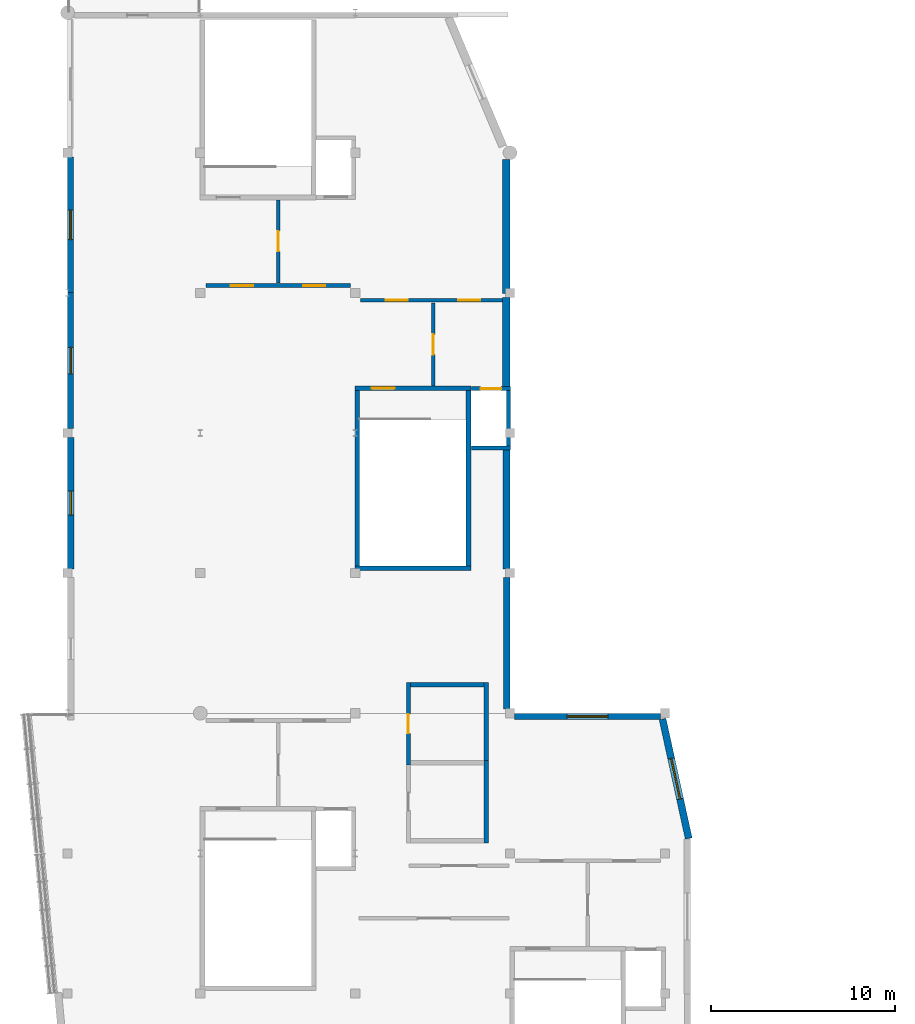
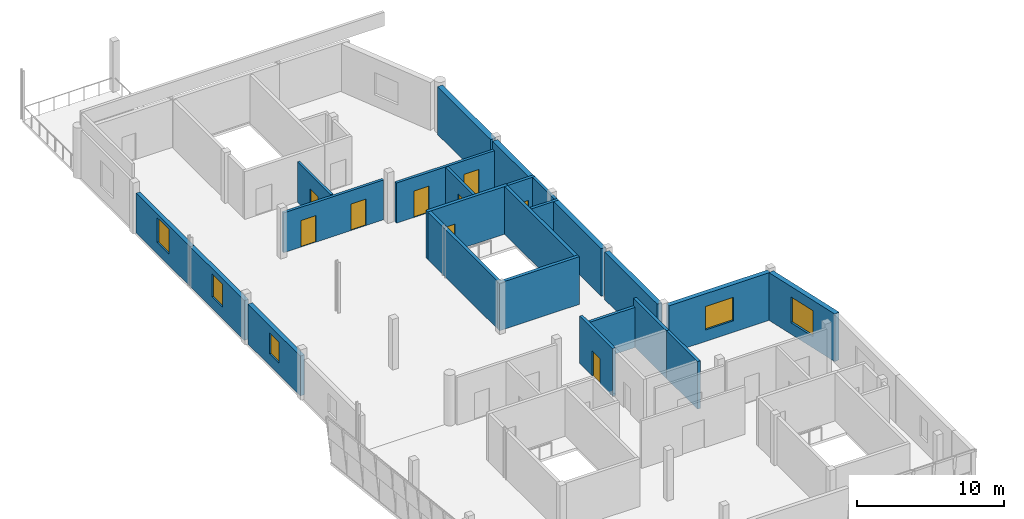
# One storey, part 12 of 17: 24 walls, 9 doors, 5 windows, 14 openings.
"""IFC4 building model written with IfcOpenShell, lengths in metres."""

from ifc_helpers import new_model, si_unit, direction, frame, frame_2d, origin, place, context, subcontext, project, spatial, rectangle, extrude, material, layer, layer_set, type_object, element, fill, save


model = new_model("IFC4")

# Units and contexts
model_context = context("Model", 3, precision=1e-05, world=origin(), true_north=direction((0.0, 1.0)))
body_context = subcontext(model_context, "Body", "Model", "MODEL_VIEW")
ifc_project = project(units=[si_unit("LENGTHUNIT", "METRE"), si_unit("AREAUNIT", "SQUARE_METRE"), si_unit("VOLUMEUNIT", "CUBIC_METRE"), si_unit("PLANEANGLEUNIT", "RADIAN"), si_unit("MASSUNIT", "GRAM", prefix="KILO")], contexts=[model_context])

# Site, building, storey
site_placement = place(None, origin())
site = spatial("IfcSite", under=ifc_project, at=site_placement, CompositionType="ELEMENT")
building_placement = place(site_placement, origin())
building = spatial("IfcBuilding", under=site, at=building_placement, Name="Xicomal Pleat Aquarium", CompositionType="ELEMENT")
storey_placement = place(building_placement, frame((0.0, 0.0, 19.800048828125)))
storey = spatial("IfcBuildingStorey", under=building, at=storey_placement, Name="L05", CompositionType="ELEMENT", Elevation=19.800048828125)

# Wall
ifc_material_1 = material(Name="Concrete C40/50", Category="concrete")
ifc_layer_1 = layer(ifc_material_1, 0.219970703125)
ifc_layer_set_1 = layer_set([ifc_layer_1], Name="Concrete C40/50")
wall_type_1 = type_object("IfcWallType", Name="WAL-COR-220", PredefinedType="SHEAR", material=ifc_layer_set_1)
wall_1_placement = place(storey_placement, frame((24.89990234375, 52.389892578125, 0.0), z_axis=(0.0, 0.0, 1.0), x_axis=(1.0, 0.0, 0.0)))
element("IfcWall", 1, at=wall_1_placement, inside=storey, type_object=wall_type_1, Name="L05 LF-04 lift shaft wall CW-L05-C4-LS", PredefinedType="SHEAR", context=body_context, shape_type="SweptSolid", body=[
    extrude(rectangle(XDim=2.1201171875, YDim=0.219970703125, at=frame_2d((1.06005859375, 0.0))), origin(), (0.0, 0.0, 1.0), 3.9599609375),
])

# Wall, opening, door
wall_2_placement = place(storey_placement, frame((24.89990234375, 55.610107421875, 0.0), z_axis=(0.0, 0.0, 1.0), x_axis=(1.0, 0.0, 0.0)))
wall_2 = element("IfcWall", 2, at=wall_2_placement, inside=storey, type_object=wall_type_1, Name="L05 LF-04 lift shaft wall CW-L05-C4-LN", PredefinedType="SHEAR", context=body_context, shape_type="SweptSolid", body=[
    extrude(rectangle(XDim=2.1201171875, YDim=0.219970703125, at=frame_2d((1.06005859375, 0.0))), origin(), (0.0, 0.0, 1.0), 3.9599609375),
])
opening_1_placement = place(wall_2_placement, frame((0.510009765625, 0.0, 0.0)))
opening_1 = element("IfcOpeningElement", 3, at=opening_1_placement, cuts=wall_2, Name="Opening LD-04-L05", PredefinedType="OPENING", context=body_context, shape_type="SweptSolid", body=[
    extrude(rectangle(XDim=1.10009765625, YDim=2.14990234375, at=frame_2d((0.550048828125, 1.074951171875))), frame((0.0, 0.119873046875, 0.0), z_axis=(0.0, -1.0, 0.0), x_axis=(1.0, 0.0, 0.0)), (0.0, 0.0, 1.0), 0.239990234375),
])
ifc_material_2 = material(Name="Brushed stainless steel 304", Category="steel")
door_type_1 = type_object("IfcDoorType", Name="DOR-LD-1100x2150", OperationType="DOUBLE_DOOR_SLIDING", PredefinedType="DOOR", material=ifc_material_2)
door_1_placement = place(opening_1_placement, origin())
door_1 = element("IfcDoor", 4, at=door_1_placement, inside=storey, type_object=door_type_1, Name="L05 LF-04 sliding lift landing door", OperationType="DOUBLE_DOOR_SLIDING", OverallHeight=2.14990234375, OverallWidth=1.10009765625, PredefinedType="DOOR", context=body_context, shape_type="SweptSolid", body=[
    extrude(rectangle(XDim=1.10009765625, YDim=2.14990234375, at=frame_2d((0.550048828125, 1.074951171875))), frame((0.0, 0.02490234375, 0.0), z_axis=(0.0, -1.0, 0.0), x_axis=(1.0, 0.0, 0.0)), (0.0, 0.0, 1.0), 0.050048828125),
])
fill(opening_1, door_1)

# Walls
wall_3_placement = place(storey_placement, frame((26.909912109375, 52.5, 0.0), z_axis=(0.0, 0.0, 1.0), x_axis=(0.0, 1.0, 0.0)))
element("IfcWall", 5, at=wall_3_placement, inside=storey, type_object=wall_type_1, Name="L05 LF-04 lift shaft wall CW-L05-C4-LE", PredefinedType="SHEAR", context=body_context, shape_type="SweptSolid", body=[
    extrude(rectangle(XDim=3.0, YDim=0.219970703125, at=frame_2d((1.5, 0.0))), origin(), (0.0, 0.0, 1.0), 3.9599609375),
])
ifc_material_3 = material(Name="Concrete C40/50", Category="concrete")
ifc_layer_2 = layer(ifc_material_3, 0.25)
ifc_layer_set_2 = layer_set([ifc_layer_2], Name="Concrete C40/50")
wall_type_2 = type_object("IfcWallType", Name="WAL-COR-250", PredefinedType="SHEAR", material=ifc_layer_set_2)
wall_4_placement = place(storey_placement, frame((18.590087890625, 45.875, 0.0), z_axis=(0.0, 0.0, 1.0), x_axis=(1.0, 0.0, 0.0)))
element("IfcWall", 6, at=wall_4_placement, inside=storey, type_object=wall_type_2, Name="L05 CORE-4 stair shear wall CW-L05-C4-SS", PredefinedType="SHEAR", context=body_context, shape_type="SweptSolid", body=[
    extrude(rectangle(XDim=6.280029296875, YDim=0.25, at=frame_2d((3.14013671875, 0.0))), origin(), (0.0, 0.0, 1.0), 3.9599609375),
])

# Wall, opening, door
wall_5_placement = place(storey_placement, frame((18.590087890625, 55.625, 0.0), z_axis=(0.0, 0.0, 1.0), x_axis=(1.0, 0.0, 0.0)))
wall_5 = element("IfcWall", 7, at=wall_5_placement, inside=storey, type_object=wall_type_2, Name="L05 CORE-4 stair shear wall CW-L05-C4-SN", PredefinedType="SHEAR", context=body_context, shape_type="SweptSolid", body=[
    extrude(rectangle(XDim=6.280029296875, YDim=0.25, at=frame_2d((3.14013671875, 0.0))), origin(), (0.0, 0.0, 1.0), 3.9599609375),
])
opening_2_placement = place(wall_5_placement, frame((0.89990234375, 0.0, 0.0)))
opening_2 = element("IfcOpeningElement", 8, at=opening_2_placement, cuts=wall_5, Name="Opening SD-04-L05", PredefinedType="OPENING", context=body_context, shape_type="SweptSolid", body=[
    extrude(rectangle(XDim=1.25, YDim=2.199951171875, at=frame_2d((0.625, 1.10009765625))), frame((0.0, 0.135009765625, 0.0), z_axis=(0.0, -1.0, 0.0), x_axis=(1.0, 0.0, 0.0)), (0.0, 0.0, 1.0), 0.27001953125),
])
ifc_material_4 = material(Name="Powder-coated steel fire door", Category="steel")
door_type_2 = type_object("IfcDoorType", Name="DOR-ST-1250x2200", OperationType="NOTDEFINED", PredefinedType="DOOR", material=ifc_material_4)
door_2_placement = place(opening_2_placement, origin())
door_2 = element("IfcDoor", 9, at=door_2_placement, inside=storey, type_object=door_type_2, Name="L05 ST-04 protected stair door", OperationType="SINGLE_SWING_LEFT", OverallHeight=2.199951171875, OverallWidth=1.25, PredefinedType="DOOR", context=body_context, shape_type="SweptSolid", body=[
    extrude(rectangle(XDim=1.25, YDim=2.199951171875, at=frame_2d((0.625, 1.10009765625))), frame((0.0, 0.02490234375, 0.0), z_axis=(0.0, -1.0, 0.0), x_axis=(1.0, 0.0, 0.0)), (0.0, 0.0, 1.0), 0.050048828125),
])
fill(opening_2, door_2)

# Walls
for number, where, z_axis, x_axis, name in (
    (10, (18.715087890625, 46.0, 0.0), (0.0, 0.0, 1.0), (0.0, 1.0, 0.0), "L05 CORE-4 stair shear wall CW-L05-C4-SW"),
    (11, (24.7451171875, 46.0, 0.0), (0.0, 0.0, 1.0), (0.0, 1.0, 0.0), "L05 CORE-4 stair shear wall CW-L05-C4-SE"),
):
    element("IfcWall", number, at=place(storey_placement, frame(where, z_axis=z_axis, x_axis=x_axis)), inside=storey, type_object=wall_type_2, Name=name, PredefinedType="SHEAR", context=body_context, shape_type="SweptSolid", body=[
        extrude(rectangle(XDim=9.5, YDim=0.25, at=frame_2d((4.75, 0.0))), origin(), (0.0, 0.0, 1.0), 3.9599609375),
    ])

# Wall, opening, window
ifc_material_5 = material(Name="Volcanic basalt recinto masonry and concrete C40/50", Category="masonry")
ifc_layer_3 = layer(ifc_material_5, 0.35009765625)
ifc_layer_set_3 = layer_set([ifc_layer_3], Name="Volcanic basalt recinto masonry and concrete C40/50")
wall_type_3 = type_object("IfcWallType", Name="WAL-EXT-BAS-350", PredefinedType="SOLIDWALL", material=ifc_layer_set_3)
wall_6_placement = place(storey_placement, frame((27.235107421875, 37.824951171875, 0.0), z_axis=(0.0, 0.0, 1.0), x_axis=(1.0, 0.0, 0.0)))
wall_6 = element("IfcWall", 12, at=wall_6_placement, inside=storey, type_object=wall_type_3, Name="L05 exterior basalt-precast wall EW-L05-039", PredefinedType="SOLIDWALL", context=body_context, shape_type="SweptSolid", body=[
    extrude(rectangle(XDim=7.929931640625, YDim=0.35009765625, at=frame_2d((3.96484375, 0.0))), origin(), (0.0, 0.0, 1.0), 3.9599609375),
])
opening_3_placement = place(wall_6_placement, frame((2.864990234375, 0.0, 0.949951171875)))
opening_3 = element("IfcOpeningElement", 13, at=opening_3_placement, cuts=wall_6, Name="Opening WN-21", PredefinedType="OPENING", context=body_context, shape_type="SweptSolid", body=[
    extrude(rectangle(XDim=2.199951171875, YDim=1.949951171875, at=frame_2d((1.10009765625, 0.97509765625))), frame((0.0, 0.18505859375, 0.0), z_axis=(0.0, -1.0, 0.0), x_axis=(1.0, 0.0, 0.0)), (0.0, 0.0, 1.0), 0.3701171875),
])
ifc_material_6 = material(Name="Insulated low-E laminated glass", Category="glass")
window_type_1 = type_object("IfcWindowType", Name="WIN-EXT-2200x1950", PartitioningType="DOUBLE_PANEL_VERTICAL", PredefinedType="WINDOW", material=ifc_material_6)
window_1_placement = place(opening_3_placement, origin())
window_1 = element("IfcWindow", 14, at=window_1_placement, inside=storey, type_object=window_type_1, Name="L05 thermally broken low-E window 93", OverallHeight=1.949951171875, OverallWidth=2.199951171875, PartitioningType="SINGLE_PANEL", PredefinedType="WINDOW", context=body_context, shape_type="SweptSolid", body=[
    extrude(rectangle(XDim=2.199951171875, YDim=1.949951171875, at=frame_2d((1.10009765625, 0.97509765625))), frame((0.0, 0.030029296875, 0.0), z_axis=(0.0, -1.0, 0.0), x_axis=(1.0, 0.0, 0.0)), (0.0, 0.0, 1.0), 0.06005859375),
])
fill(opening_3, window_1)

# Wall
ifc_material_7 = material(Name="Volcanic basalt recinto masonry and concrete C40/50", Category="masonry")
ifc_layer_4 = layer(ifc_material_7, 0.364990234375)
ifc_layer_set_4 = layer_set([ifc_layer_4], Name="Volcanic basalt recinto masonry and concrete C40/50")
wall_type_4 = type_object("IfcWallType", Name="WAL-EXT-BAS-365", PredefinedType="SOLIDWALL", material=ifc_layer_set_4)
wall_7_placement = place(storey_placement, frame((26.81689453125, 45.364990234375, 0.0), z_axis=(0.0, 0.0, 1.0), x_axis=(0.0, -1.0, 0.0)))
element("IfcWall", 15, at=wall_7_placement, inside=storey, type_object=wall_type_4, Name="L05 exterior basalt-precast wall EW-L05-038", PredefinedType="SOLIDWALL", context=body_context, shape_type="SweptSolid", body=[
    extrude(rectangle(XDim=7.1298828125, YDim=0.364990234375, at=frame_2d((3.56494140625, 0.0))), origin(), (0.0, 0.0, 1.0), 3.9599609375),
])

# Wall, opening, window
ifc_material_8 = material(Name="Volcanic basalt recinto masonry and concrete C40/50", Category="masonry")
ifc_layer_5 = layer(ifc_material_8, 0.3798828125)
ifc_layer_set_5 = layer_set([ifc_layer_5], Name="Volcanic basalt recinto masonry and concrete C40/50")
wall_type_5 = type_object("IfcWallType", Name="WAL-EXT-BAS-380", PredefinedType="SOLIDWALL", material=ifc_layer_set_5)
wall_8_placement = place(storey_placement, frame((35.27490234375, 37.68310546875, 0.0), z_axis=(0.0, 0.0, 1.0), x_axis=(0.213637559437, -0.976912991621, 0.0)))
wall_8 = element("IfcWall", 16, at=wall_8_placement, inside=storey, type_object=wall_type_5, Name="L05 exterior basalt-precast wall EW-L05-011", PredefinedType="SOLIDWALL", context=body_context, shape_type="SweptSolid", body=[
    extrude(rectangle(XDim=6.628173828125, YDim=0.3798828125, at=frame_2d((3.31396484375, 0.0))), origin(), (0.0, 0.0, 1.0), 3.9599609375),
])
opening_4_placement = place(wall_8_placement, frame((2.18896484375, 0.0, 0.949951171875)))
opening_4 = element("IfcOpeningElement", 17, at=opening_4_placement, cuts=wall_8, Name="Opening WN-12", PredefinedType="OPENING", context=body_context, shape_type="SweptSolid", body=[
    extrude(rectangle(XDim=2.25, YDim=2.14990234375, at=frame_2d((1.125, 1.074951171875))), frame((0.0, 0.199951171875, 0.0), z_axis=(0.0, -1.0, 0.0), x_axis=(1.0, 0.0, 0.0)), (0.0, 0.0, 1.0), 0.39990234375),
])
ifc_material_9 = material(Name="Insulated low-E laminated glass", Category="glass")
window_type_2 = type_object("IfcWindowType", Name="WIN-EXT-2250x2150", PartitioningType="DOUBLE_PANEL_VERTICAL", PredefinedType="WINDOW", material=ifc_material_9)
window_2_placement = place(opening_4_placement, origin())
window_2 = element("IfcWindow", 18, at=window_2_placement, inside=storey, type_object=window_type_2, Name="L05 thermally broken low-E window 84", OverallHeight=2.14990234375, OverallWidth=2.25, PartitioningType="SINGLE_PANEL", PredefinedType="WINDOW", context=body_context, shape_type="SweptSolid", body=[
    extrude(rectangle(XDim=2.25, YDim=2.14990234375, at=frame_2d((1.125, 1.074951171875))), frame((0.0, 0.030029296875, 0.0), z_axis=(0.0, -1.0, 0.0), x_axis=(1.0, 0.0, 0.0)), (0.0, 0.0, 1.0), 0.06005859375),
])
fill(opening_4, window_2)

# Walls
wall_9_placement = place(storey_placement, frame((26.81005859375, 52.320068359375, 0.0), z_axis=(0.0, 0.0, 1.0), x_axis=(0.0, -1.0, 0.0)))
element("IfcWall", 19, at=wall_9_placement, inside=storey, type_object=wall_type_5, Name="L05 exterior basalt-precast wall EW-L05-037", PredefinedType="SOLIDWALL", context=body_context, shape_type="SweptSolid", body=[
    extrude(rectangle(XDim=6.485107421875, YDim=0.3798828125, at=frame_2d((3.24267578125, 0.0))), origin(), (0.0, 0.0, 1.0), 3.9599609375),
])
ifc_material_10 = material(Name="Volcanic basalt recinto masonry and concrete C40/50", Category="masonry")
ifc_layer_6 = layer(ifc_material_10, 0.39990234375)
ifc_layer_set_6 = layer_set([ifc_layer_6], Name="Volcanic basalt recinto masonry and concrete C40/50")
wall_type_6 = type_object("IfcWallType", Name="WAL-EXT-BAS-400", PredefinedType="SOLIDWALL", material=ifc_layer_set_6)
wall_10_placement = place(storey_placement, frame((26.800048828125, 60.56494140625, 0.0), z_axis=(0.0, 0.0, 1.0), x_axis=(0.0, -1.0, 0.0)))
element("IfcWall", 20, at=wall_10_placement, inside=storey, type_object=wall_type_6, Name="L05 exterior basalt-precast wall EW-L05-036", PredefinedType="SOLIDWALL", context=body_context, shape_type="SweptSolid", body=[
    extrude(rectangle(XDim=4.885009765625, YDim=0.39990234375, at=frame_2d((2.4423828125, 0.0))), origin(), (0.0, 0.0, 1.0), 3.9599609375),
])
ifc_material_11 = material(Name="Volcanic basalt recinto masonry and concrete C40/50", Category="masonry")
ifc_layer_7 = layer(ifc_material_11, 0.419921875)
ifc_layer_set_7 = layer_set([ifc_layer_7], Name="Volcanic basalt recinto masonry and concrete C40/50")
wall_type_7 = type_object("IfcWallType", Name="WAL-EXT-BAS-420", PredefinedType="SOLIDWALL", material=ifc_layer_set_7)
wall_11_placement = place(storey_placement, frame((26.7900390625, 68.0400390625, 0.0), z_axis=(0.0, 0.0, 1.0), x_axis=(0.0, -1.0, 0.0)))
element("IfcWall", 21, at=wall_11_placement, inside=storey, type_object=wall_type_7, Name="L05 exterior basalt-precast wall EW-L05-035", PredefinedType="SOLIDWALL", context=body_context, shape_type="SweptSolid", body=[
    extrude(rectangle(XDim=7.260009765625, YDim=0.419921875, at=frame_2d((3.6298828125, 0.0))), origin(), (0.0, 0.0, 1.0), 3.9599609375),
])

# Wall, opening, window
ifc_material_12 = material(Name="Precast concrete C40/50", Category="concrete")
ifc_layer_8 = layer(ifc_material_12, 0.31201171875)
ifc_layer_set_8 = layer_set([ifc_layer_8], Name="Precast concrete C40/50")
wall_type_8 = type_object("IfcWallType", Name="WAL-EXT-PRC-312", PredefinedType="SOLIDWALL", material=ifc_layer_set_8)
wall_12_placement = place(storey_placement, frame((3.156005859375, 60.820068359375, 0.0), z_axis=(0.0, 0.0, 1.0), x_axis=(0.0, 1.0, 0.0)))
wall_12 = element("IfcWall", 22, at=wall_12_placement, inside=storey, type_object=wall_type_8, Name="L05 exterior basalt-precast wall EW-L05-029", PredefinedType="SOLIDWALL", context=body_context, shape_type="SweptSolid", body=[
    extrude(rectangle(XDim=7.344970703125, YDim=0.31201171875, at=frame_2d((3.67236328125, 0.0))), origin(), (0.0, 0.0, 1.0), 3.304931640625),
])
opening_5_placement = place(wall_12_placement, frame((2.873046875, 0.0, 0.949951171875)))
opening_5 = element("IfcOpeningElement", 23, at=opening_5_placement, cuts=wall_12, Name="Opening WN-18", PredefinedType="OPENING", context=body_context, shape_type="SweptSolid", body=[
    extrude(rectangle(XDim=1.60009765625, YDim=2.050048828125, at=frame_2d((0.800048828125, 1.02490234375))), frame((0.0, 0.166015625, 0.0), z_axis=(0.0, -1.0, 0.0), x_axis=(1.0, 0.0, 0.0)), (0.0, 0.0, 1.0), 0.33203125),
])
ifc_material_13 = material(Name="Insulated low-E laminated glass", Category="glass")
window_type_3 = type_object("IfcWindowType", Name="WIN-EXT-1600x2050", PartitioningType="SINGLE_PANEL", PredefinedType="WINDOW", material=ifc_material_13)
window_3_placement = place(opening_5_placement, origin())
window_3 = element("IfcWindow", 24, at=window_3_placement, inside=storey, type_object=window_type_3, Name="L05 thermally broken low-E window 90", OverallHeight=2.050048828125, OverallWidth=1.60009765625, PartitioningType="SINGLE_PANEL", PredefinedType="WINDOW", context=body_context, shape_type="SweptSolid", body=[
    extrude(rectangle(XDim=1.60009765625, YDim=2.050048828125, at=frame_2d((0.800048828125, 1.02490234375))), frame((0.0, 0.030029296875, 0.0), z_axis=(0.0, -1.0, 0.0), x_axis=(1.0, 0.0, 0.0)), (0.0, 0.0, 1.0), 0.06005859375),
])
fill(opening_5, window_3)

ifc_material_14 = material(Name="Precast concrete C40/50", Category="concrete")
ifc_layer_9 = layer(ifc_material_14, 0.324951171875)
ifc_layer_set_9 = layer_set([ifc_layer_9], Name="Precast concrete C40/50")
wall_type_9 = type_object("IfcWallType", Name="WAL-EXT-PRC-325", PredefinedType="SOLIDWALL", material=ifc_layer_set_9)
wall_13_placement = place(storey_placement, frame((3.1630859375, 53.43505859375, 0.0), z_axis=(0.0, 0.0, 1.0), x_axis=(0.0, 1.0, 0.0)))
wall_13 = element("IfcWall", 25, at=wall_13_placement, inside=storey, type_object=wall_type_9, Name="L05 exterior basalt-precast wall EW-L05-028", PredefinedType="SOLIDWALL", context=body_context, shape_type="SweptSolid", body=[
    extrude(rectangle(XDim=7.385009765625, YDim=0.324951171875, at=frame_2d((3.6923828125, 0.0))), origin(), (0.0, 0.0, 1.0), 3.304931640625),
])
opening_6_placement = place(wall_13_placement, frame((2.967041015625, 0.0, 0.949951171875)))
opening_6 = element("IfcOpeningElement", 26, at=opening_6_placement, cuts=wall_13, Name="Opening WN-17", PredefinedType="OPENING", context=body_context, shape_type="SweptSolid", body=[
    extrude(rectangle(XDim=1.449951171875, YDim=1.89990234375, at=frame_2d((0.72509765625, 0.949951171875))), frame((0.0, 0.17236328125, 0.0), z_axis=(0.0, -1.0, 0.0), x_axis=(1.0, 0.0, 0.0)), (0.0, 0.0, 1.0), 0.344970703125),
])
ifc_material_15 = material(Name="Insulated low-E laminated glass", Category="glass")
window_type_4 = type_object("IfcWindowType", Name="WIN-EXT-1450x1900", PartitioningType="SINGLE_PANEL", PredefinedType="WINDOW", material=ifc_material_15)
window_4_placement = place(opening_6_placement, origin())
window_4 = element("IfcWindow", 27, at=window_4_placement, inside=storey, type_object=window_type_4, Name="L05 thermally broken low-E window 89", OverallHeight=1.89990234375, OverallWidth=1.449951171875, PartitioningType="SINGLE_PANEL", PredefinedType="WINDOW", context=body_context, shape_type="SweptSolid", body=[
    extrude(rectangle(XDim=1.449951171875, YDim=1.89990234375, at=frame_2d((0.72509765625, 0.949951171875))), frame((0.0, 0.030029296875, 0.0), z_axis=(0.0, -1.0, 0.0), x_axis=(1.0, 0.0, 0.0)), (0.0, 0.0, 1.0), 0.06005859375),
])
fill(opening_6, window_4)

ifc_material_16 = material(Name="Precast concrete C40/50", Category="concrete")
ifc_layer_10 = layer(ifc_material_16, 0.340087890625)
ifc_layer_set_10 = layer_set([ifc_layer_10], Name="Precast concrete C40/50")
wall_type_10 = type_object("IfcWallType", Name="WAL-EXT-PRC-340", PredefinedType="SOLIDWALL", material=ifc_layer_set_10)
wall_14_placement = place(storey_placement, frame((3.169921875, 45.8349609375, 0.0), z_axis=(0.0, 0.0, 1.0), x_axis=(0.0, 1.0, 0.0)))
wall_14 = element("IfcWall", 28, at=wall_14_placement, inside=storey, type_object=wall_type_10, Name="L05 exterior basalt-precast wall EW-L05-027", PredefinedType="SOLIDWALL", context=body_context, shape_type="SweptSolid", body=[
    extrude(rectangle(XDim=7.130126953125, YDim=0.340087890625, at=frame_2d((3.56494140625, 0.0))), origin(), (0.0, 0.0, 1.0), 3.304931640625),
])
opening_7_placement = place(wall_14_placement, frame((2.9150390625, 0.0, 0.949951171875)))
opening_7 = element("IfcOpeningElement", 29, at=opening_7_placement, cuts=wall_14, Name="Opening WN-16", PredefinedType="OPENING", context=body_context, shape_type="SweptSolid", body=[
    extrude(rectangle(XDim=1.300048828125, YDim=1.75, at=frame_2d((0.64990234375, 0.875))), frame((0.0, 0.179931640625, 0.0), z_axis=(0.0, -1.0, 0.0), x_axis=(1.0, 0.0, 0.0)), (0.0, 0.0, 1.0), 0.360107421875),
])
ifc_material_17 = material(Name="Insulated low-E laminated glass", Category="glass")
window_type_5 = type_object("IfcWindowType", Name="WIN-EXT-1300x1750", PartitioningType="SINGLE_PANEL", PredefinedType="WINDOW", material=ifc_material_17)
window_5_placement = place(opening_7_placement, origin())
window_5 = element("IfcWindow", 30, at=window_5_placement, inside=storey, type_object=window_type_5, Name="L05 thermally broken low-E window 88", OverallHeight=1.75, OverallWidth=1.300048828125, PartitioningType="SINGLE_PANEL", PredefinedType="WINDOW", context=body_context, shape_type="SweptSolid", body=[
    extrude(rectangle(XDim=1.300048828125, YDim=1.75, at=frame_2d((0.64990234375, 0.875))), frame((0.0, 0.030029296875, 0.0), z_axis=(0.0, -1.0, 0.0), x_axis=(1.0, 0.0, 0.0)), (0.0, 0.0, 1.0), 0.06005859375),
])
fill(opening_7, window_5)

# Wall
ifc_material_18 = material(Name="Water-resistant cement-board wet-lab partition", Category="gypsum")
ifc_layer_11 = layer(ifc_material_18, 0.22998046875)
ifc_layer_set_11 = layer_set([ifc_layer_11], Name="Water-resistant cement-board wet-lab partition")
wall_type_11 = type_object("IfcWallType", Name="WAL-PLB-230", PredefinedType="PLUMBINGWALL", material=ifc_layer_set_11)
wall_15_placement = place(storey_placement, frame((25.715087890625, 30.969970703125, 0.0), z_axis=(0.0, 0.0, 1.0), x_axis=(0.0, 1.0, 0.0)))
element("IfcWall", 31, at=wall_15_placement, inside=storey, type_object=wall_type_11, Name="L05 enclosed toilet partition PT-L05-076", PredefinedType="PLUMBINGWALL", context=body_context, shape_type="SweptSolid", body=[
    extrude(rectangle(XDim=4.4599609375, YDim=0.22998046875, at=frame_2d((2.22998046875, 0.0))), origin(), (0.0, 0.0, 1.0), 3.949951171875),
])

# Wall, opening, door
wall_16_placement = place(storey_placement, frame((21.485107421875, 35.199951171875, 0.0), z_axis=(0.0, 0.0, 1.0), x_axis=(0.0, 1.0, 0.0)))
wall_16 = element("IfcWall", 32, at=wall_16_placement, inside=storey, type_object=wall_type_11, Name="L05 enclosed toilet partition PT-L05-079", PredefinedType="PLUMBINGWALL", context=body_context, shape_type="SweptSolid", body=[
    extrude(rectangle(XDim=4.4599609375, YDim=0.22998046875, at=frame_2d((2.22998046875, 0.0))), origin(), (0.0, 0.0, 1.0), 3.949951171875),
])
opening_8_placement = place(wall_16_placement, frame((1.705078125, 0.0, 0.0)))
opening_8 = element("IfcOpeningElement", 33, at=opening_8_placement, cuts=wall_16, Name="Opening DR-L05-042", PredefinedType="OPENING", context=body_context, shape_type="SweptSolid", body=[
    extrude(rectangle(XDim=1.050048828125, YDim=2.10009765625, at=frame_2d((0.52490234375, 1.050048828125))), frame((0.0, 0.125, 0.0), z_axis=(0.0, -1.0, 0.0), x_axis=(1.0, 0.0, 0.0)), (0.0, 0.0, 1.0), 0.25),
])
ifc_material_19 = material(Name="Solid-core hardwood and anodized aluminium frame", Category="wood")
door_type_3 = type_object("IfcDoorType", Name="DOR-AWC-1050x2100", OperationType="NOTDEFINED", PredefinedType="DOOR", material=ifc_material_19)
door_3_placement = place(opening_8_placement, origin())
door_3 = element("IfcDoor", 34, at=door_3_placement, inside=storey, type_object=door_type_3, Name="L05 Accessible Toilet door DR-L05-042", OperationType="SINGLE_SWING_LEFT", OverallHeight=2.10009765625, OverallWidth=1.050048828125, PredefinedType="DOOR", context=body_context, shape_type="SweptSolid", body=[
    extrude(rectangle(XDim=1.050048828125, YDim=2.10009765625, at=frame_2d((0.52490234375, 1.050048828125))), frame((0.0, 0.02490234375, 0.0), z_axis=(0.0, -1.0, 0.0), x_axis=(1.0, 0.0, 0.0)), (0.0, 0.0, 1.0), 0.050048828125),
])
fill(opening_8, door_3)

# Walls
wall_17_placement = place(storey_placement, frame((25.715087890625, 35.199951171875, 0.0), z_axis=(0.0, 0.0, 1.0), x_axis=(0.0, 1.0, 0.0)))
element("IfcWall", 35, at=wall_17_placement, inside=storey, type_object=wall_type_11, Name="L05 enclosed toilet partition PT-L05-080", PredefinedType="PLUMBINGWALL", context=body_context, shape_type="SweptSolid", body=[
    extrude(rectangle(XDim=4.4599609375, YDim=0.22998046875, at=frame_2d((2.22998046875, 0.0))), origin(), (0.0, 0.0, 1.0), 3.949951171875),
])
wall_18_placement = place(storey_placement, frame((21.60009765625, 39.544921875, 0.0), z_axis=(0.0, 0.0, 1.0), x_axis=(1.0, 0.0, 0.0)))
element("IfcWall", 36, at=wall_18_placement, inside=storey, type_object=wall_type_11, Name="L05 enclosed toilet partition PT-L05-081", PredefinedType="PLUMBINGWALL", context=body_context, shape_type="SweptSolid", body=[
    extrude(rectangle(XDim=4.0, YDim=0.22998046875, at=frame_2d((2.0, 0.0))), origin(), (0.0, 0.0, 1.0), 3.3349609375),
])

# Wall, opening, door
ifc_material_20 = material(Name="Acoustic double-stud drywall partition", Category="gypsum")
ifc_layer_12 = layer(ifc_material_20, 0.195068359375)
ifc_layer_set_12 = layer_set([ifc_layer_12], Name="Acoustic double-stud drywall partition")
wall_type_12 = type_object("IfcWallType", Name="WAL-PRT-195", PredefinedType="PARTITIONING", material=ifc_layer_set_12)
wall_19_placement = place(storey_placement, frame((14.425048828125, 61.35009765625, 0.0), z_axis=(0.0, 0.0, 1.0), x_axis=(0.0, 1.0, 0.0)))
wall_19 = element("IfcWall", 37, at=wall_19_placement, inside=storey, type_object=wall_type_12, Name="L05 firefighting lobby smoke divider 3", PredefinedType="PARTITIONING", context=body_context, shape_type="SweptSolid", body=[
    extrude(rectangle(XDim=4.5, YDim=0.195068359375, at=frame_2d((2.25, 0.0))), origin(), (0.0, 0.0, 1.0), 3.3349609375),
])
opening_9_placement = place(wall_19_placement, frame((1.699951171875, 0.0, 0.0)))
opening_9 = element("IfcOpeningElement", 38, at=opening_9_placement, cuts=wall_19, Name="Opening FD-03C-L05", PredefinedType="OPENING", context=body_context, shape_type="SweptSolid", body=[
    extrude(rectangle(XDim=1.10009765625, YDim=2.14990234375, at=frame_2d((0.550048828125, 1.074951171875))), frame((0.0, 0.107421875, 0.0), z_axis=(0.0, -1.0, 0.0), x_axis=(1.0, 0.0, 0.0)), (0.0, 0.0, 1.0), 0.215087890625),
])
ifc_material_21 = material(Name="Powder-coated steel fire door", Category="steel")
door_type_4 = type_object("IfcDoorType", Name="DOR-LAB-1100x2150", OperationType="NOTDEFINED", PredefinedType="DOOR", material=ifc_material_21)
door_4_placement = place(opening_9_placement, origin())
door_4 = element("IfcDoor", 39, at=door_4_placement, inside=storey, type_object=door_type_4, Name="L05 lobby interconnecting fire door 3C", OperationType="SINGLE_SWING_RIGHT", OverallHeight=2.14990234375, OverallWidth=1.10009765625, PredefinedType="DOOR", context=body_context, shape_type="SweptSolid", body=[
    extrude(rectangle(XDim=1.10009765625, YDim=2.14990234375, at=frame_2d((0.550048828125, 1.074951171875))), frame((0.0, 0.02490234375, 0.0), z_axis=(0.0, -1.0, 0.0), x_axis=(1.0, 0.0, 0.0)), (0.0, 0.0, 1.0), 0.050048828125),
])
fill(opening_9, door_4)

wall_20_placement = place(storey_placement, frame((22.824951171875, 55.75, 0.0), z_axis=(0.0, 0.0, 1.0), x_axis=(0.0, 1.0, 0.0)))
wall_20 = element("IfcWall", 40, at=wall_20_placement, inside=storey, type_object=wall_type_12, Name="L05 firefighting lobby smoke divider 4", PredefinedType="PARTITIONING", context=body_context, shape_type="SweptSolid", body=[
    extrude(rectangle(XDim=4.5, YDim=0.195068359375, at=frame_2d((2.25, 0.0))), origin(), (0.0, 0.0, 1.0), 3.3349609375),
])
opening_10_placement = place(wall_20_placement, frame((1.699951171875, 0.0, 0.0)))
opening_10 = element("IfcOpeningElement", 41, at=opening_10_placement, cuts=wall_20, Name="Opening FD-04C-L05", PredefinedType="OPENING", context=body_context, shape_type="SweptSolid", body=[
    extrude(rectangle(XDim=1.10009765625, YDim=2.14990234375, at=frame_2d((0.550048828125, 1.074951171875))), frame((0.0, 0.107421875, 0.0), z_axis=(0.0, -1.0, 0.0), x_axis=(1.0, 0.0, 0.0)), (0.0, 0.0, 1.0), 0.215087890625),
])
door_5_placement = place(opening_10_placement, origin())
door_5 = element("IfcDoor", 42, at=door_5_placement, inside=storey, type_object=door_type_4, Name="L05 lobby interconnecting fire door 4C", OperationType="SINGLE_SWING_RIGHT", OverallHeight=2.14990234375, OverallWidth=1.10009765625, PredefinedType="DOOR", context=body_context, shape_type="SweptSolid", body=[
    extrude(rectangle(XDim=1.10009765625, YDim=2.14990234375, at=frame_2d((0.550048828125, 1.074951171875))), frame((0.0, 0.02490234375, 0.0), z_axis=(0.0, -1.0, 0.0), x_axis=(1.0, 0.0, 0.0)), (0.0, 0.0, 1.0), 0.050048828125),
])
fill(opening_10, door_5)

# Wall, openings, doors
ifc_material_22 = material(Name="Fire-rated gypsum and mineral-wool partition", Category="gypsum")
ifc_layer_13 = layer(ifc_material_22, 0.2099609375)
ifc_layer_set_13 = layer_set([ifc_layer_13], Name="Fire-rated gypsum and mineral-wool partition")
wall_type_13 = type_object("IfcWallType", Name="WAL-PRT-210", PredefinedType="PARTITIONING", material=ifc_layer_set_13)
wall_21_placement = place(storey_placement, frame((10.5, 61.199951171875, 0.0), z_axis=(0.0, 0.0, 1.0), x_axis=(1.0, 0.0, 0.0)))
wall_21 = element("IfcWall", 43, at=wall_21_placement, inside=storey, type_object=wall_type_13, Name="L05 CORE-3 lobby fire enclosure wall", PredefinedType="PARTITIONING", context=body_context, shape_type="SweptSolid", body=[
    extrude(rectangle(XDim=7.85009765625, YDim=0.2099609375, at=frame_2d((3.925048828125, 0.0))), origin(), (0.0, 0.0, 1.0), 3.304931640625),
])
opening_11_placement = place(wall_21_placement, frame((1.362060546875, 0.0, 0.0)))
opening_11 = element("IfcOpeningElement", 44, at=opening_11_placement, cuts=wall_21, Name="Opening FD-03A-L05", PredefinedType="OPENING", context=body_context, shape_type="SweptSolid", body=[
    extrude(rectangle(XDim=1.199951171875, YDim=2.199951171875, at=frame_2d((0.60009765625, 1.10009765625))), frame((0.0, 0.114990234375, 0.0), z_axis=(0.0, -1.0, 0.0), x_axis=(1.0, 0.0, 0.0)), (0.0, 0.0, 1.0), 0.22998046875),
])
opening_12_placement = place(wall_21_placement, frame((5.287109375, 0.0, 0.0)))
opening_12 = element("IfcOpeningElement", 45, at=opening_12_placement, cuts=wall_21, Name="Opening FD-03B-L05", PredefinedType="OPENING", context=body_context, shape_type="SweptSolid", body=[
    extrude(rectangle(XDim=1.199951171875, YDim=2.199951171875, at=frame_2d((0.60009765625, 1.10009765625))), frame((0.0, 0.114990234375, 0.0), z_axis=(0.0, -1.0, 0.0), x_axis=(1.0, 0.0, 0.0)), (0.0, 0.0, 1.0), 0.22998046875),
])
ifc_material_23 = material(Name="Powder-coated steel fire door", Category="steel")
door_type_5 = type_object("IfcDoorType", Name="DOR-FFL-1200x2200", OperationType="NOTDEFINED", PredefinedType="DOOR", material=ifc_material_23)
door_6_placement = place(opening_11_placement, origin())
door_6 = element("IfcDoor", 46, at=door_6_placement, inside=storey, type_object=door_type_5, Name="L05 firefighting lobby door 3A", OperationType="SINGLE_SWING_RIGHT", OverallHeight=2.199951171875, OverallWidth=1.199951171875, PredefinedType="DOOR", context=body_context, shape_type="SweptSolid", body=[
    extrude(rectangle(XDim=1.199951171875, YDim=2.199951171875, at=frame_2d((0.60009765625, 1.10009765625))), frame((0.0, 0.02490234375, 0.0), z_axis=(0.0, -1.0, 0.0), x_axis=(1.0, 0.0, 0.0)), (0.0, 0.0, 1.0), 0.050048828125),
])
fill(opening_11, door_6)
door_7_placement = place(opening_12_placement, origin())
door_7 = element("IfcDoor", 47, at=door_7_placement, inside=storey, type_object=door_type_5, Name="L05 lift lobby door 3B", OperationType="SINGLE_SWING_LEFT", OverallHeight=2.199951171875, OverallWidth=1.199951171875, PredefinedType="DOOR", context=body_context, shape_type="SweptSolid", body=[
    extrude(rectangle(XDim=1.199951171875, YDim=2.199951171875, at=frame_2d((0.60009765625, 1.10009765625))), frame((0.0, 0.02490234375, 0.0), z_axis=(0.0, -1.0, 0.0), x_axis=(1.0, 0.0, 0.0)), (0.0, 0.0, 1.0), 0.050048828125),
])
fill(opening_12, door_7)

wall_22_placement = place(storey_placement, frame((18.89990234375, 60.39990234375, 0.0), z_axis=(0.0, 0.0, 1.0), x_axis=(1.0, 0.0, 0.0)))
wall_22 = element("IfcWall", 48, at=wall_22_placement, inside=storey, type_object=wall_type_13, Name="L05 CORE-4 lobby fire enclosure wall", PredefinedType="PARTITIONING", context=body_context, shape_type="SweptSolid", body=[
    extrude(rectangle(XDim=7.85009765625, YDim=0.2099609375, at=frame_2d((3.925048828125, 0.0))), origin(), (0.0, 0.0, 1.0), 3.3349609375),
])
opening_13_placement = place(wall_22_placement, frame((1.362060546875, 0.0, 0.0)))
opening_13 = element("IfcOpeningElement", 49, at=opening_13_placement, cuts=wall_22, Name="Opening FD-04A-L05", PredefinedType="OPENING", context=body_context, shape_type="SweptSolid", body=[
    extrude(rectangle(XDim=1.199951171875, YDim=2.199951171875, at=frame_2d((0.60009765625, 1.10009765625))), frame((0.0, 0.114990234375, 0.0), z_axis=(0.0, -1.0, 0.0), x_axis=(1.0, 0.0, 0.0)), (0.0, 0.0, 1.0), 0.22998046875),
])
opening_14_placement = place(wall_22_placement, frame((5.287109375, 0.0, 0.0)))
opening_14 = element("IfcOpeningElement", 50, at=opening_14_placement, cuts=wall_22, Name="Opening FD-04B-L05", PredefinedType="OPENING", context=body_context, shape_type="SweptSolid", body=[
    extrude(rectangle(XDim=1.199951171875, YDim=2.199951171875, at=frame_2d((0.60009765625, 1.10009765625))), frame((0.0, 0.114990234375, 0.0), z_axis=(0.0, -1.0, 0.0), x_axis=(1.0, 0.0, 0.0)), (0.0, 0.0, 1.0), 0.22998046875),
])
door_8_placement = place(opening_13_placement, origin())
door_8 = element("IfcDoor", 51, at=door_8_placement, inside=storey, type_object=door_type_5, Name="L05 firefighting lobby door 4A", OperationType="SINGLE_SWING_RIGHT", OverallHeight=2.199951171875, OverallWidth=1.199951171875, PredefinedType="DOOR", context=body_context, shape_type="SweptSolid", body=[
    extrude(rectangle(XDim=1.199951171875, YDim=2.199951171875, at=frame_2d((0.60009765625, 1.10009765625))), frame((0.0, 0.02490234375, 0.0), z_axis=(0.0, -1.0, 0.0), x_axis=(1.0, 0.0, 0.0)), (0.0, 0.0, 1.0), 0.050048828125),
])
fill(opening_13, door_8)
door_9_placement = place(opening_14_placement, origin())
door_9 = element("IfcDoor", 52, at=door_9_placement, inside=storey, type_object=door_type_5, Name="L05 lift lobby door 4B", OperationType="SINGLE_SWING_LEFT", OverallHeight=2.199951171875, OverallWidth=1.199951171875, PredefinedType="DOOR", context=body_context, shape_type="SweptSolid", body=[
    extrude(rectangle(XDim=1.199951171875, YDim=2.199951171875, at=frame_2d((0.60009765625, 1.10009765625))), frame((0.0, 0.02490234375, 0.0), z_axis=(0.0, -1.0, 0.0), x_axis=(1.0, 0.0, 0.0)), (0.0, 0.0, 1.0), 0.050048828125),
])
fill(opening_14, door_9)

save(model, "model.ifc")
